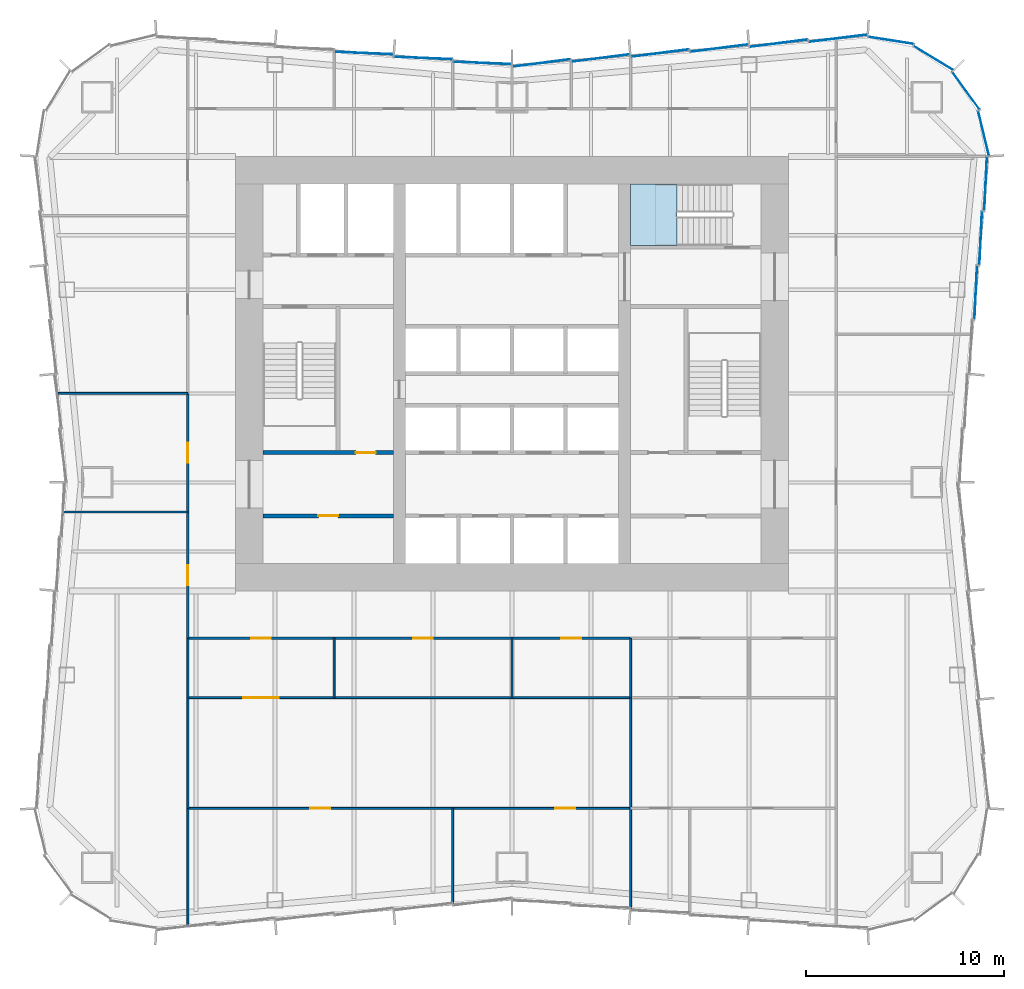
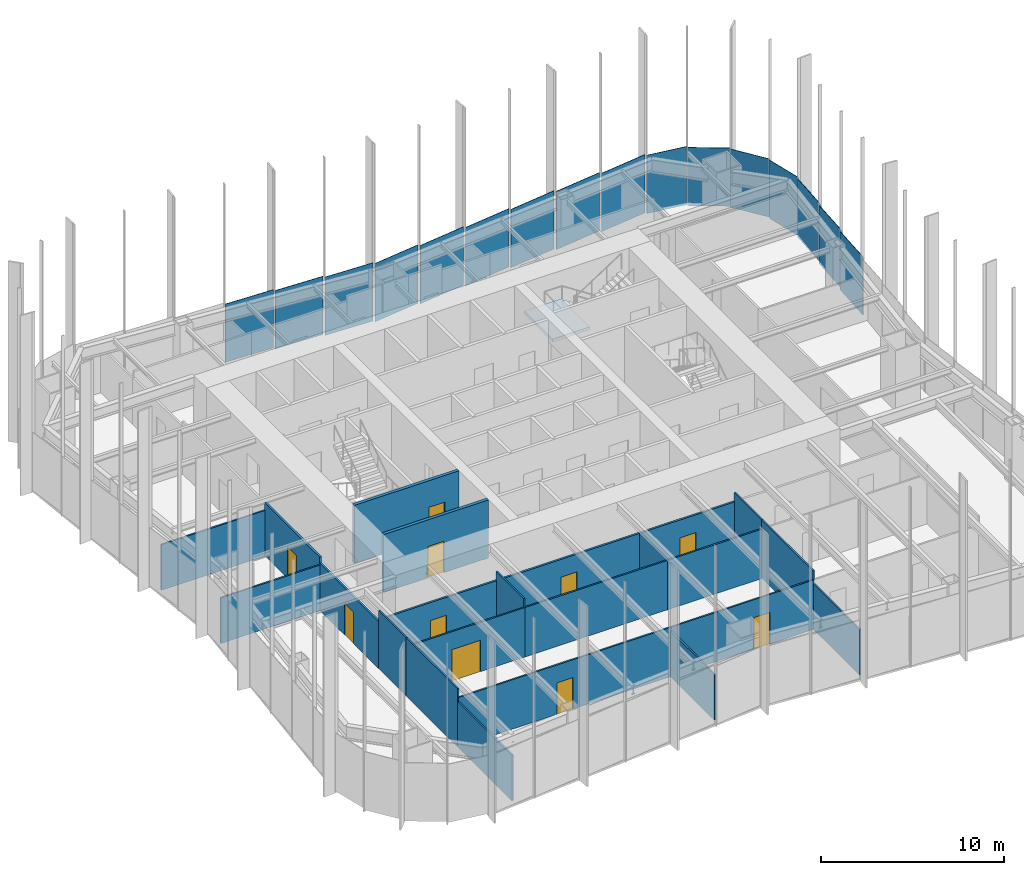
# One storey, part 9 of 13: 23 walls, 16 plates, 10 doors, 1 slab, 10 openings, 4 elements without a shape of their own.
"""IFC4 building model written with IfcOpenShell, lengths in metres."""

from ifc_helpers import new_model, si_unit, direction, frame, frame_2d, origin, origin_2d, place, context, subcontext, project, spatial, polyline, rectangle, outline, extrude, material, layer, layer_set, type_object, element, fill, aggregate, save


model = new_model("IFC4")

# Units and contexts
model_context = context("Model", 3, precision=1e-05, world=origin(), true_north=direction((0.0, 1.0)))
body_context = subcontext(model_context, "Body", "Model", "MODEL_VIEW")
ifc_project = project(units=[si_unit("LENGTHUNIT", "METRE"), si_unit("AREAUNIT", "SQUARE_METRE"), si_unit("VOLUMEUNIT", "CUBIC_METRE"), si_unit("PLANEANGLEUNIT", "RADIAN"), si_unit("MASSUNIT", "GRAM", prefix="KILO")], contexts=[model_context])

# Site, building, storey
site_placement = place(None, origin())
site = spatial("IfcSite", under=ifc_project, at=site_placement, CompositionType="ELEMENT")
building_placement = place(site_placement, origin())
building = spatial("IfcBuilding", under=site, at=building_placement, Name="Verdant Reach Tower", CompositionType="ELEMENT")
storey_placement = place(building_placement, frame((0.0, 0.0, 14.0)))
storey = spatial("IfcBuildingStorey", under=building, at=storey_placement, Name="L02", CompositionType="ELEMENT", Elevation=14.0)

# Stair, slab
ifc_material_1 = material(Name="Concrete C40/50", Category="concrete")
stair_type = type_object("IfcStairType", Name="CO-STAIR", PredefinedType="HALF_TURN_STAIR", material=ifc_material_1)
stair_placement = place(storey_placement, origin())
stair = element("IfcStair", 1, at=stair_placement, inside=storey, type_object=stair_type, Name="L02 Exit stair 3", PredefinedType="HALF_TURN_STAIR")
ifc_layer_1 = layer(ifc_material_1, 0.199951171875)
ifc_layer_set_1 = layer_set([ifc_layer_1], Name="CO-STAIR-LANDING")
slab_type = type_object("IfcSlabType", Name="CO-STAIR-LANDING", PredefinedType="LANDING", material=ifc_layer_set_1)
slab_placement = place(storey_placement, frame((0.0, 0.0, 1.800048828125)))
slab = element("IfcSlab", 2, at=slab_placement, type_object=slab_type, Name="ST-3 landing 1", PredefinedType="LANDING", context=body_context, shape_type="SweptSolid", body=[
    extrude(outline(polyline([(8.35009765625, 37.60009765625), (6.0, 37.60009765625), (6.0, 34.5), (8.35009765625, 34.5), (8.35009765625, 37.60009765625)])), origin(), (0.0, 0.0, 1.0), 0.199951171875),
])
aggregate(stair, [slab])

# Curtain wall, plates
ifc_material_2 = material(Name="Anodised aluminium", Category="aluminium")
curtain_wall_type = type_object("IfcCurtainWallType", Name="EN-CW SYSTEM Z0", PredefinedType="NOTDEFINED", material=ifc_material_2)
curtain_wall_1_placement = place(storey_placement, origin())
curtain_wall_1 = element("IfcCurtainWall", 3, at=curtain_wall_1_placement, inside=storey, type_object=curtain_wall_type, Name="Curtain wall east, L02", PredefinedType="NOTDEFINED")
ifc_material_3 = material(Name="Tinted glass with champagne spandrel", Category="glass")
ifc_layer_2 = layer(ifc_material_3, 0.031982421875)
ifc_layer_set_2 = layer_set([ifc_layer_2], Name="EN-PANEL CHAMPAGNE")
plate_type_1 = type_object("IfcPlateType", Name="EN-PANEL CHAMPAGNE", PredefinedType="CURTAIN_PANEL", material=ifc_layer_set_2)
plate_1_placement = place(storey_placement, frame((23.474609375, 32.115966796875, -0.22998046875), z_axis=(0.0, 0.0, 1.0), x_axis=(0.04875265175, 0.998810882473, 0.0)))
plate_1 = element("IfcPlate", 4, at=plate_1_placement, type_object=plate_type_1, Name="Glass panel east face part 2 4.1, L02", PredefinedType="CURTAIN_PANEL", context=body_context, shape_type="SweptSolid", body=[
    extrude(rectangle(XDim=2.705322265625, YDim=0.031982421875, at=origin_2d()), origin(), (0.0, 0.0, 1.0), 3.8798828125),
])
plate_2_placement = place(storey_placement, frame((23.724609375, 34.865966796875, -0.22998046875), z_axis=(0.0, 0.0, 1.0), x_axis=(0.04875265175, 0.998810882473, 0.0)))
plate_2 = element("IfcPlate", 5, at=plate_2_placement, type_object=plate_type_1, Name="Glass panel east face part 2 5.1, L02", PredefinedType="CURTAIN_PANEL", context=body_context, shape_type="SweptSolid", body=[
    extrude(rectangle(XDim=2.705322265625, YDim=0.031982421875, at=origin_2d()), origin(), (0.0, 0.0, 1.0), 3.8798828125),
])

curtain_wall_2_placement = place(storey_placement, origin())
curtain_wall_2 = element("IfcCurtainWall", 6, at=curtain_wall_2_placement, inside=storey, type_object=curtain_wall_type, Name="Curtain wall north-east corner, L02", PredefinedType="NOTDEFINED")
plate_3_placement = place(storey_placement, frame((22.974609375, 42.32373046875, -0.22998046875), z_axis=(0.0, 0.0, 1.0), x_axis=(-0.589926778461, 0.807456745624, 0.0)))
plate_3 = element("IfcPlate", 7, at=plate_3_placement, type_object=plate_type_1, Name="Glass panel north-east corner 2.1, L02", PredefinedType="CURTAIN_PANEL", context=body_context, shape_type="SweptSolid", body=[
    extrude(rectangle(XDim=2.32421875, YDim=0.031982421875, at=origin_2d()), origin(), (0.0, 0.0, 1.0), 3.8798828125),
])
plate_4_placement = place(storey_placement, frame((21.32373046875, 43.974609375, -0.22998046875), z_axis=(0.0, 0.0, 1.0), x_axis=(-0.853988681713, 0.520291583159, 0.0)))
plate_4 = element("IfcPlate", 8, at=plate_4_placement, type_object=plate_type_1, Name="Glass panel north-east corner 3.1, L02", PredefinedType="CURTAIN_PANEL", context=body_context, shape_type="SweptSolid", body=[
    extrude(rectangle(XDim=2.32421875, YDim=0.031982421875, at=origin_2d()), origin(), (0.0, 0.0, 1.0), 3.8798828125),
])

curtain_wall_3_placement = place(storey_placement, origin())
curtain_wall_3 = element("IfcCurtainWall", 9, at=curtain_wall_3_placement, inside=storey, type_object=curtain_wall_type, Name="Curtain wall north, L02", PredefinedType="NOTDEFINED")
plate_5_placement = place(storey_placement, frame((16.498779296875, 44.974853515625, -0.22998046875), z_axis=(0.0, 0.0, 1.0), x_axis=(-0.992234176789, -0.124383835008, 0.0)))
plate_5 = element("IfcPlate", 10, at=plate_5_placement, type_object=plate_type_1, Name="Glass panel north face part 1 1.1, L02", PredefinedType="CURTAIN_PANEL", context=body_context, shape_type="SweptSolid", body=[
    extrude(rectangle(XDim=2.96826171875, YDim=0.031982421875, at=origin_2d()), origin(), (0.0, 0.0, 1.0), 3.8798828125),
])
plate_6_placement = place(storey_placement, frame((-1.495849609375, 43.724853515625, -0.22998046875), z_axis=(0.0, 0.0, 1.0), x_axis=(-0.999144450138, 0.041356592674, 0.0)))
plate_6 = element("IfcPlate", 11, at=plate_6_placement, type_object=plate_type_1, Name="Glass panel north face part 2 1.1, L02", PredefinedType="CURTAIN_PANEL", context=body_context, shape_type="SweptSolid", body=[
    extrude(rectangle(XDim=2.946044921875, YDim=0.031982421875, at=origin_2d()), origin(), (0.0, 0.0, 1.0), 3.8798828125),
])
plate_7_placement = place(storey_placement, frame((-4.49169921875, 43.974609375, -0.22998046875), z_axis=(0.0, 0.0, 1.0), x_axis=(-0.999149202059, 0.041241629766, 0.0)))
plate_7 = element("IfcPlate", 12, at=plate_7_placement, type_object=plate_type_1, Name="Glass panel north face part 2 2.1, L02", PredefinedType="CURTAIN_PANEL", context=body_context, shape_type="SweptSolid", body=[
    extrude(rectangle(XDim=2.954345703125, YDim=0.031982421875, at=origin_2d()), origin(), (0.0, 0.0, 1.0), 3.8798828125),
])
plate_8_placement = place(storey_placement, frame((-7.49169921875, 44.224609375, -0.22998046875), z_axis=(0.0, 0.0, 1.0), x_axis=(-0.999149202059, 0.041241629766, 0.0)))
plate_8 = element("IfcPlate", 13, at=plate_8_placement, type_object=plate_type_1, Name="Glass panel north face part 2 3.1, L02", PredefinedType="CURTAIN_PANEL", context=body_context, shape_type="SweptSolid", body=[
    extrude(rectangle(XDim=2.954345703125, YDim=0.031982421875, at=origin_2d()), origin(), (0.0, 0.0, 1.0), 3.8798828125),
])

# Plate
ifc_material_4 = material(Name="Tinted glass with copper spandrel", Category="glass")
ifc_layer_3 = layer(ifc_material_4, 0.031982421875)
ifc_layer_set_3 = layer_set([ifc_layer_3], Name="EN-PANEL COPPER")
plate_type_2 = type_object("IfcPlateType", Name="EN-PANEL COPPER", PredefinedType="CURTAIN_PANEL", material=ifc_layer_set_3)
plate_9_placement = place(storey_placement, frame((23.974609375, 37.623046875, -0.22998046875), z_axis=(0.0, 0.0, 1.0), x_axis=(0.048382779248, 0.998828867561, 0.0)))
plate_9 = element("IfcPlate", 14, at=plate_9_placement, type_object=plate_type_2, Name="Glass panel east face part 2 6.1, L02", PredefinedType="CURTAIN_PANEL", context=body_context, shape_type="SweptSolid", body=[
    extrude(rectangle(XDim=2.7197265625, YDim=0.031982421875, at=origin_2d()), origin(), (0.0, 0.0, 1.0), 3.8798828125),
])

aggregate(curtain_wall_1, [plate_1, plate_2, plate_9])

plate_10_placement = place(storey_placement, frame((19.169921875, 44.86767578125, -0.22998046875), z_axis=(0.0, 0.0, 1.0), x_axis=(-0.98803452381, 0.154232875093, 0.0)))
plate_10 = element("IfcPlate", 15, at=plate_10_placement, type_object=plate_type_2, Name="Glass panel north-east corner 4.1, L02", PredefinedType="CURTAIN_PANEL", context=body_context, shape_type="SweptSolid", body=[
    extrude(rectangle(XDim=2.318603515625, YDim=0.031982421875, at=origin_2d()), origin(), (0.0, 0.0, 1.0), 3.8798828125),
])

plate_11_placement = place(storey_placement, frame((13.49169921875, 44.724609375, -0.22998046875), z_axis=(0.0, 0.0, 1.0), x_axis=(-0.992194034542, -0.124703639961, 0.0)))
plate_11 = element("IfcPlate", 16, at=plate_11_placement, type_object=plate_type_2, Name="Glass panel north face part 1 2.1, L02", PredefinedType="CURTAIN_PANEL", context=body_context, shape_type="SweptSolid", body=[
    extrude(rectangle(XDim=2.954345703125, YDim=0.031982421875, at=origin_2d()), origin(), (0.0, 0.0, 1.0), 3.8798828125),
])

plate_12_placement = place(storey_placement, frame((10.49169921875, 44.474609375, -0.22998046875), z_axis=(0.0, 0.0, 1.0), x_axis=(-0.992194034542, -0.124703639961, 0.0)))
plate_12 = element("IfcPlate", 17, at=plate_12_placement, type_object=plate_type_2, Name="Glass panel north face part 1 3.1, L02", PredefinedType="CURTAIN_PANEL", context=body_context, shape_type="SweptSolid", body=[
    extrude(rectangle(XDim=2.954345703125, YDim=0.031982421875, at=origin_2d()), origin(), (0.0, 0.0, 1.0), 3.8798828125),
])

plate_13_placement = place(storey_placement, frame((7.49169921875, 44.224609375, -0.22998046875), z_axis=(0.0, 0.0, 1.0), x_axis=(-0.992194034542, -0.124703639961, 0.0)))
plate_13 = element("IfcPlate", 18, at=plate_13_placement, type_object=plate_type_2, Name="Glass panel north face part 1 4.1, L02", PredefinedType="CURTAIN_PANEL", context=body_context, shape_type="SweptSolid", body=[
    extrude(rectangle(XDim=2.954345703125, YDim=0.031982421875, at=origin_2d()), origin(), (0.0, 0.0, 1.0), 3.8798828125),
])

ifc_material_5 = material(Name="Tinted glass with dark bronze spandrel", Category="glass")
ifc_layer_4 = layer(ifc_material_5, 0.031982421875)
ifc_layer_set_4 = layer_set([ifc_layer_4], Name="EN-PANEL DARK")
plate_type_3 = type_object("IfcPlateType", Name="EN-PANEL DARK", PredefinedType="CURTAIN_PANEL", material=ifc_layer_set_4)
plate_14_placement = place(storey_placement, frame((23.86767578125, 40.169921875, -0.22998046875), z_axis=(0.0, 0.0, 1.0), x_axis=(-0.236346786246, 0.97166876899, 0.0)))
plate_14 = element("IfcPlate", 19, at=plate_14_placement, type_object=plate_type_3, Name="Glass panel north-east corner 1.1, L02", PredefinedType="CURTAIN_PANEL", context=body_context, shape_type="SweptSolid", body=[
    extrude(rectangle(XDim=2.31884765625, YDim=0.031982421875, at=origin_2d()), origin(), (0.0, 0.0, 1.0), 3.8798828125),
])

aggregate(curtain_wall_2, [plate_14, plate_3, plate_4, plate_10])

plate_15_placement = place(storey_placement, frame((4.49169921875, 43.974609375, -0.22998046875), z_axis=(0.0, 0.0, 1.0), x_axis=(-0.992194034542, -0.124703639961, 0.0)))
plate_15 = element("IfcPlate", 20, at=plate_15_placement, type_object=plate_type_3, Name="Glass panel north face part 1 5.1, L02", PredefinedType="CURTAIN_PANEL", context=body_context, shape_type="SweptSolid", body=[
    extrude(rectangle(XDim=2.954345703125, YDim=0.031982421875, at=origin_2d()), origin(), (0.0, 0.0, 1.0), 3.8798828125),
])

plate_16_placement = place(storey_placement, frame((1.495849609375, 43.724853515625, -0.22998046875), z_axis=(0.0, 0.0, 1.0), x_axis=(-0.992179679439, -0.124817802047, 0.0)))
plate_16 = element("IfcPlate", 21, at=plate_16_placement, type_object=plate_type_3, Name="Glass panel north face part 1 6.1, L02", PredefinedType="CURTAIN_PANEL", context=body_context, shape_type="SweptSolid", body=[
    extrude(rectangle(XDim=2.946044921875, YDim=0.031982421875, at=origin_2d()), origin(), (0.0, 0.0, 1.0), 3.8798828125),
])

aggregate(curtain_wall_3, [plate_5, plate_11, plate_12, plate_13, plate_15, plate_16, plate_6, plate_7, plate_8])

# Wall, opening, door
ifc_material_6 = material(Name="Gypsum board on steel studs", Category="steel")
ifc_layer_5 = layer(ifc_material_6, 0.199951171875)
ifc_layer_set_5 = layer_set([ifc_layer_5], Name="CO-WALL-ROOM")
wall_type_1 = type_object("IfcWallType", Name="CO-WALL-ROOM", PredefinedType="PARTITIONING", material=ifc_layer_set_5)
wall_1_placement = place(storey_placement, frame((-12.60009765625, 20.800048828125, 0.0), z_axis=(0.0, 0.0, 1.0), x_axis=(1.0, 0.0, 0.0)))
wall_1 = element("IfcWall", 22, at=wall_1_placement, inside=storey, type_object=wall_type_1, Name="Core partition, L02", PredefinedType="PARTITIONING", context=body_context, shape_type="SweptSolid", body=[
    extrude(rectangle(XDim=6.60009765625, YDim=0.199951171875, at=frame_2d((3.300048828125, 0.0))), origin(), (0.0, 0.0, 1.0), 3.8701171875),
])
opening_1_placement = place(wall_1_placement, frame((2.800048828125, 0.0, 0.0)))
opening_1 = element("IfcOpeningElement", 23, at=opening_1_placement, cuts=wall_1, Name="Opening CD", PredefinedType="OPENING", context=body_context, shape_type="SweptSolid", body=[
    extrude(rectangle(XDim=1.0, YDim=2.10009765625, at=frame_2d((0.5, 1.050048828125))), frame((0.0, 0.10986328125, 0.0), z_axis=(0.0, -1.0, 0.0), x_axis=(1.0, 0.0, 0.0)), (0.0, 0.0, 1.0), 0.219970703125),
])
ifc_material_7 = material(Name="Timber", Category="wood")
door_type_1 = type_object("IfcDoorType", Name="CO-DOOR-ROOM", OperationType="NOTDEFINED", PredefinedType="DOOR", material=ifc_material_7)
door_1_placement = place(opening_1_placement, origin())
door_1 = element("IfcDoor", 24, at=door_1_placement, inside=storey, type_object=door_type_1, Name="Core room door, L02", OperationType="SINGLE_SWING_LEFT", OverallHeight=2.10009765625, OverallWidth=1.0, PredefinedType="DOOR", context=body_context, shape_type="SweptSolid", body=[
    extrude(rectangle(XDim=1.0, YDim=2.10009765625, at=frame_2d((0.5, 1.050048828125))), frame((0.0, 0.02490234375, 0.0), z_axis=(0.0, -1.0, 0.0), x_axis=(1.0, 0.0, 0.0)), (0.0, 0.0, 1.0), 0.050048828125),
])
fill(opening_1, door_1)

ifc_layer_6 = layer(ifc_material_1, 0.199951171875)
ifc_layer_set_6 = layer_set([ifc_layer_6], Name="CO-WALL-STAIR")
wall_type_2 = type_object("IfcWallType", Name="CO-WALL-STAIR", PredefinedType="PARTITIONING", material=ifc_layer_set_6)
wall_2_placement = place(storey_placement, frame((-12.60009765625, 24.0, 0.0), z_axis=(0.0, 0.0, 1.0), x_axis=(1.0, 0.0, 0.0)))
wall_2 = element("IfcWall", 25, at=wall_2_placement, inside=storey, type_object=wall_type_2, Name="Stair enclosure wall, L02", PredefinedType="PARTITIONING", context=body_context, shape_type="SweptSolid", body=[
    extrude(rectangle(XDim=6.60009765625, YDim=0.199951171875, at=frame_2d((3.300048828125, 0.0))), origin(), (0.0, 0.0, 1.0), 3.8701171875),
])
opening_2_placement = place(wall_2_placement, frame((4.699951171875, 0.0, 0.0)))
opening_2 = element("IfcOpeningElement", 26, at=opening_2_placement, cuts=wall_2, Name="Opening CD", PredefinedType="OPENING", context=body_context, shape_type="SweptSolid", body=[
    extrude(rectangle(XDim=1.0, YDim=2.10009765625, at=frame_2d((0.5, 1.050048828125))), frame((0.0, 0.10986328125, 0.0), z_axis=(0.0, -1.0, 0.0), x_axis=(1.0, 0.0, 0.0)), (0.0, 0.0, 1.0), 0.219970703125),
])
door_2_placement = place(opening_2_placement, origin())
door_2 = element("IfcDoor", 27, at=door_2_placement, inside=storey, type_object=door_type_1, Name="Core room door, L02", OperationType="SINGLE_SWING_RIGHT", OverallHeight=2.10009765625, OverallWidth=1.0, PredefinedType="DOOR", context=body_context, shape_type="SweptSolid", body=[
    extrude(rectangle(XDim=1.0, YDim=2.10009765625, at=frame_2d((0.5, 1.050048828125))), frame((0.0, 0.02490234375, 0.0), z_axis=(0.0, -1.0, 0.0), x_axis=(1.0, 0.0, 0.0)), (0.0, 0.0, 1.0), 0.050048828125),
])
fill(opening_2, door_2)

# Wall
ifc_layer_7 = layer(ifc_material_6, 0.10009765625)
ifc_layer_set_7 = layer_set([ifc_layer_7], Name="FL-W1 Partition 100")
wall_type_3 = type_object("IfcWallType", Name="FL-W1 Partition 100", PredefinedType="PARTITIONING", material=ifc_layer_set_7)
wall_3_placement = place(storey_placement, frame((-9.0, 11.60009765625, 0.0), z_axis=(0.0, 0.0, 1.0), x_axis=(0.0, 1.0, 0.0)))
element("IfcWall", 28, at=wall_3_placement, inside=storey, type_object=wall_type_3, Name="Partition 02.19", PredefinedType="PARTITIONING", context=body_context, shape_type="SweptSolid", body=[
    extrude(rectangle(XDim=3.0, YDim=0.10009765625, at=frame_2d((1.5, 0.0))), origin(), (0.0, 0.0, 1.0), 3.8701171875),
])

# Wall, opening, door
wall_4_placement = place(storey_placement, frame((-8.99609375, 11.60009765625, 0.0), z_axis=(0.0, 0.0, 1.0), x_axis=(-1.0, 0.0, 0.0)))
wall_4 = element("IfcWall", 29, at=wall_4_placement, inside=storey, type_object=wall_type_3, Name="Partition 02.20", PredefinedType="PARTITIONING", context=body_context, shape_type="SweptSolid", body=[
    extrude(rectangle(XDim=7.40380859375, YDim=0.10009765625, at=frame_2d((3.701904296875, 0.0))), origin(), (0.0, 0.0, 1.0), 3.2900390625),
])
opening_3_placement = place(wall_4_placement, frame((2.802001953125, 0.0, 0.0)))
opening_3 = element("IfcOpeningElement", 30, at=opening_3_placement, cuts=wall_4, Name="Opening D5", PredefinedType="OPENING", context=body_context, shape_type="SweptSolid", body=[
    extrude(rectangle(XDim=1.800048828125, YDim=2.10009765625, at=frame_2d((0.89990234375, 1.050048828125))), frame((0.0, 0.06005859375, 0.0), z_axis=(0.0, -1.0, 0.0), x_axis=(1.0, 0.0, 0.0)), (0.0, 0.0, 1.0), 0.1201171875),
])
ifc_material_8 = material(Name="Painted timber door leaves", Category="wood")
door_type_2 = type_object("IfcDoorType", Name="FL-D5 Double door 1800x2100", OperationType="DOUBLE_DOOR_SINGLE_SWING", PredefinedType="DOOR", material=ifc_material_8)
door_3_placement = place(opening_3_placement, origin())
door_3 = element("IfcDoor", 31, at=door_3_placement, inside=storey, type_object=door_type_2, Name="Door 02-019", OperationType="DOUBLE_DOOR_SINGLE_SWING", OverallHeight=2.10009765625, OverallWidth=1.800048828125, PredefinedType="DOOR", context=body_context, shape_type="SweptSolid", body=[
    extrude(rectangle(XDim=1.800048828125, YDim=2.10009765625, at=frame_2d((0.89990234375, 1.050048828125))), frame((0.0, 0.02490234375, 0.0), z_axis=(0.0, -1.0, 0.0), x_axis=(1.0, 0.0, 0.0)), (0.0, 0.0, 1.0), 0.050048828125),
])
fill(opening_3, door_3)

# Walls
wall_5_placement = place(storey_placement, frame((-16.39990234375, 14.60400390625, 0.0), z_axis=(0.0, 0.0, 1.0), x_axis=(0.0, -1.0, 0.0)))
element("IfcWall", 32, at=wall_5_placement, inside=storey, type_object=wall_type_3, Name="Partition 02.21", PredefinedType="PARTITIONING", context=body_context, shape_type="SweptSolid", body=[
    extrude(rectangle(XDim=3.008056640625, YDim=0.10009765625, at=frame_2d((1.50390625, 0.0))), origin(), (0.0, 0.0, 1.0), 3.8701171875),
])
wall_6_placement = place(storey_placement, frame((0.0, 11.60009765625, 0.0), z_axis=(0.0, 0.0, 1.0), x_axis=(0.0, 1.0, 0.0)))
element("IfcWall", 33, at=wall_6_placement, inside=storey, type_object=wall_type_3, Name="Partition 02.22", PredefinedType="PARTITIONING", context=body_context, shape_type="SweptSolid", body=[
    extrude(rectangle(XDim=3.0, YDim=0.10009765625, at=frame_2d((1.5, 0.0))), origin(), (0.0, 0.0, 1.0), 3.340087890625),
])
wall_7_placement = place(storey_placement, frame((-9.00390625, 11.60009765625, 0.0), z_axis=(0.0, 0.0, 1.0), x_axis=(1.0, 0.0, 0.0)))
element("IfcWall", 34, at=wall_7_placement, inside=storey, type_object=wall_type_3, Name="Partition 02.23", PredefinedType="PARTITIONING", context=body_context, shape_type="SweptSolid", body=[
    extrude(rectangle(XDim=9.0078125, YDim=0.10009765625, at=frame_2d((4.50390625, 0.0))), origin(), (0.0, 0.0, 1.0), 3.2900390625),
])
wall_8_placement = place(storey_placement, frame((-0.00390625, 11.60009765625, 0.0), z_axis=(0.0, 0.0, 1.0), x_axis=(1.0, 0.0, 0.0)))
element("IfcWall", 35, at=wall_8_placement, inside=storey, type_object=wall_type_3, Name="Partition 02.24", PredefinedType="PARTITIONING", context=body_context, shape_type="SweptSolid", body=[
    extrude(rectangle(XDim=6.00390625, YDim=0.10009765625, at=frame_2d((3.001953125, 0.0))), origin(), (0.0, 0.0, 1.0), 3.2900390625),
])
wall_9_placement = place(storey_placement, frame((6.0, 11.60009765625, 0.0), z_axis=(0.0, 0.0, 1.0), x_axis=(0.0, 1.0, 0.0)))
element("IfcWall", 36, at=wall_9_placement, inside=storey, type_object=wall_type_3, Name="Partition 02.25", PredefinedType="PARTITIONING", context=body_context, shape_type="SweptSolid", body=[
    extrude(rectangle(XDim=3.0, YDim=0.10009765625, at=frame_2d((1.5, 0.0))), origin(), (0.0, 0.0, 1.0), 3.8701171875),
])

# Wall, opening, door
wall_10_placement = place(storey_placement, frame((-3.0, 6.0, 0.0), z_axis=(0.0, 0.0, 1.0), x_axis=(-1.0, 0.0, 0.0)))
wall_10 = element("IfcWall", 37, at=wall_10_placement, inside=storey, type_object=wall_type_3, Name="Partition 02.26", PredefinedType="PARTITIONING", context=body_context, shape_type="SweptSolid", body=[
    extrude(rectangle(XDim=13.39990234375, YDim=0.10009765625, at=frame_2d((6.699951171875, 0.0))), origin(), (0.0, 0.0, 1.0), 3.2900390625),
])
opening_4_placement = place(wall_10_placement, frame((6.199951171875, 0.0, 0.0)))
opening_4 = element("IfcOpeningElement", 38, at=opening_4_placement, cuts=wall_10, Name="Opening D3", PredefinedType="OPENING", context=body_context, shape_type="SweptSolid", body=[
    extrude(rectangle(XDim=1.0, YDim=2.10009765625, at=frame_2d((0.5, 1.050048828125))), frame((0.0, 0.06005859375, 0.0), z_axis=(0.0, -1.0, 0.0), x_axis=(1.0, 0.0, 0.0)), (0.0, 0.0, 1.0), 0.1201171875),
])
ifc_material_9 = material(Name="Painted timber door leaf", Category="wood")
door_type_3 = type_object("IfcDoorType", Name="FL-D3 Door 1000x2100", OperationType="NOTDEFINED", PredefinedType="DOOR", material=ifc_material_9)
door_4_placement = place(opening_4_placement, origin())
door_4 = element("IfcDoor", 39, at=door_4_placement, inside=storey, type_object=door_type_3, Name="Door 02-020", OperationType="SINGLE_SWING_RIGHT", OverallHeight=2.10009765625, OverallWidth=1.0, PredefinedType="DOOR", context=body_context, shape_type="SweptSolid", body=[
    extrude(rectangle(XDim=1.0, YDim=2.10009765625, at=frame_2d((0.5, 1.050048828125))), frame((0.0, 0.02490234375, 0.0), z_axis=(0.0, -1.0, 0.0), x_axis=(1.0, 0.0, 0.0)), (0.0, 0.0, 1.0), 0.050048828125),
])
fill(opening_4, door_4)

wall_11_placement = place(storey_placement, frame((6.0, 6.0, 0.0), z_axis=(0.0, 0.0, 1.0), x_axis=(-1.0, 0.0, 0.0)))
wall_11 = element("IfcWall", 40, at=wall_11_placement, inside=storey, type_object=wall_type_3, Name="Partition 02.27", PredefinedType="PARTITIONING", context=body_context, shape_type="SweptSolid", body=[
    extrude(rectangle(XDim=9.0, YDim=0.10009765625, at=frame_2d((4.5, 0.0))), origin(), (0.0, 0.0, 1.0), 3.2900390625),
])
opening_5_placement = place(wall_11_placement, frame((2.800048828125, 0.0, 0.0)))
opening_5 = element("IfcOpeningElement", 41, at=opening_5_placement, cuts=wall_11, Name="Opening D3", PredefinedType="OPENING", context=body_context, shape_type="SweptSolid", body=[
    extrude(rectangle(XDim=1.0, YDim=2.10009765625, at=frame_2d((0.5, 1.050048828125))), frame((0.0, 0.06005859375, 0.0), z_axis=(0.0, -1.0, 0.0), x_axis=(1.0, 0.0, 0.0)), (0.0, 0.0, 1.0), 0.1201171875),
])
door_5_placement = place(opening_5_placement, origin())
door_5 = element("IfcDoor", 42, at=door_5_placement, inside=storey, type_object=door_type_3, Name="Door 02-021", OperationType="SINGLE_SWING_LEFT", OverallHeight=2.10009765625, OverallWidth=1.0, PredefinedType="DOOR", context=body_context, shape_type="SweptSolid", body=[
    extrude(rectangle(XDim=1.0, YDim=2.10009765625, at=frame_2d((0.5, 1.050048828125))), frame((0.0, 0.02490234375, 0.0), z_axis=(0.0, -1.0, 0.0), x_axis=(1.0, 0.0, 0.0)), (0.0, 0.0, 1.0), 0.050048828125),
])
fill(opening_5, door_5)

# Walls
wall_12_placement = place(storey_placement, frame((6.0, 6.0, 0.0), z_axis=(0.0, 0.0, 1.0), x_axis=(0.0, 1.0, 0.0)))
element("IfcWall", 43, at=wall_12_placement, inside=storey, type_object=wall_type_3, Name="Partition 02.28", PredefinedType="PARTITIONING", context=body_context, shape_type="SweptSolid", body=[
    extrude(rectangle(XDim=5.60009765625, YDim=0.10009765625, at=frame_2d((2.800048828125, 0.0))), origin(), (0.0, 0.0, 1.0), 3.8701171875),
])
wall_13_placement = place(storey_placement, frame((-16.39990234375, 11.60400390625, 0.0), z_axis=(0.0, 0.0, 1.0), x_axis=(0.0, -1.0, 0.0)))
element("IfcWall", 44, at=wall_13_placement, inside=storey, type_object=wall_type_3, Name="Partition 02.29", PredefinedType="PARTITIONING", context=body_context, shape_type="SweptSolid", body=[
    extrude(rectangle(XDim=5.60791015625, YDim=0.10009765625, at=frame_2d((2.803955078125, 0.0))), origin(), (0.0, 0.0, 1.0), 3.8701171875),
])
wall_14_placement = place(storey_placement, frame((-3.0, 1.169921875, 0.0), z_axis=(0.0, 0.0, 1.0), x_axis=(0.0, 1.0, 0.0)))
element("IfcWall", 45, at=wall_14_placement, inside=storey, type_object=wall_type_3, Name="Partition 02.30", PredefinedType="PARTITIONING", context=body_context, shape_type="SweptSolid", body=[
    extrude(rectangle(XDim=4.830078125, YDim=0.10009765625, at=frame_2d((2.4150390625, 0.0))), origin(), (0.0, 0.0, 1.0), 3.0400390625),
])
wall_15_placement = place(storey_placement, frame((-16.39990234375, 6.00390625, 0.0), z_axis=(0.0, 0.0, 1.0), x_axis=(0.0, -1.0, 0.0)))
element("IfcWall", 46, at=wall_15_placement, inside=storey, type_object=wall_type_3, Name="Partition 02.31", PredefinedType="PARTITIONING", context=body_context, shape_type="SweptSolid", body=[
    extrude(rectangle(XDim=5.95068359375, YDim=0.10009765625, at=frame_2d((2.975341796875, 0.0))), origin(), (0.0, 0.0, 1.0), 3.0400390625),
])
wall_16_placement = place(storey_placement, frame((6.0, 0.919921875, 0.0), z_axis=(0.0, 0.0, 1.0), x_axis=(0.0, 1.0, 0.0)))
element("IfcWall", 47, at=wall_16_placement, inside=storey, type_object=wall_type_3, Name="Partition 02.32", PredefinedType="PARTITIONING", context=body_context, shape_type="SweptSolid", body=[
    extrude(rectangle(XDim=5.080078125, YDim=0.10009765625, at=frame_2d((2.5400390625, 0.0))), origin(), (0.0, 0.0, 1.0), 3.0400390625),
])
wall_17_placement = place(storey_placement, frame((-16.39990234375, 21.0, 0.0), z_axis=(0.0, 0.0, 1.0), x_axis=(-1.0, 0.0, 0.0)))
element("IfcWall", 48, at=wall_17_placement, inside=storey, type_object=wall_type_3, Name="Partition 02.49", PredefinedType="PARTITIONING", context=body_context, shape_type="SweptSolid", body=[
    extrude(rectangle(XDim=6.31640625, YDim=0.10009765625, at=frame_2d((3.158203125, 0.0))), origin(), (0.0, 0.0, 1.0), 3.0400390625),
])
wall_18_placement = place(storey_placement, frame((-16.39990234375, 27.0, 0.0), z_axis=(0.0, 0.0, 1.0), x_axis=(-1.0, 0.0, 0.0)))
element("IfcWall", 49, at=wall_18_placement, inside=storey, type_object=wall_type_3, Name="Partition 02.50", PredefinedType="PARTITIONING", context=body_context, shape_type="SweptSolid", body=[
    extrude(rectangle(XDim=6.589111328125, YDim=0.10009765625, at=frame_2d((3.29443359375, 0.0))), origin(), (0.0, 0.0, 1.0), 3.0400390625),
])

# Wall, opening, door
ifc_material_10 = material(Name="Gypsum board on steel studs, fire rated", Category="steel")
ifc_layer_8 = layer(ifc_material_10, 0.125)
ifc_layer_set_8 = layer_set([ifc_layer_8], Name="FL-W2 Corridor wall 125")
wall_type_4 = type_object("IfcWallType", Name="FL-W2 Corridor wall 125", PredefinedType="PARTITIONING", material=ifc_layer_set_8)
wall_19_placement = place(storey_placement, frame((-9.0, 14.60009765625, 0.0), z_axis=(0.0, 0.0, 1.0), x_axis=(-1.0, 0.0, 0.0)))
wall_19 = element("IfcWall", 50, at=wall_19_placement, inside=storey, type_object=wall_type_4, Name="Partition 02.01", PredefinedType="PARTITIONING", context=body_context, shape_type="SweptSolid", body=[
    extrude(rectangle(XDim=7.39990234375, YDim=0.125, at=frame_2d((3.699951171875, 0.0))), origin(), (0.0, 0.0, 1.0), 3.2900390625),
])
opening_6_placement = place(wall_19_placement, frame((3.199951171875, 0.0, 0.0)))
opening_6 = element("IfcOpeningElement", 51, at=opening_6_placement, cuts=wall_19, Name="Opening D2", PredefinedType="OPENING", context=body_context, shape_type="SweptSolid", body=[
    extrude(rectangle(XDim=1.0, YDim=2.10009765625, at=frame_2d((0.5, 1.050048828125))), frame((0.0, 0.072509765625, 0.0), z_axis=(0.0, -1.0, 0.0), x_axis=(1.0, 0.0, 0.0)), (0.0, 0.0, 1.0), 0.14501953125),
])
ifc_material_11 = material(Name="Timber door leaf, fire rated", Category="wood")
door_type_4 = type_object("IfcDoorType", Name="FL-D2 Entrance door 1000x2100 FD30", OperationType="NOTDEFINED", PredefinedType="DOOR", material=ifc_material_11)
door_6_placement = place(opening_6_placement, origin())
door_6 = element("IfcDoor", 52, at=door_6_placement, inside=storey, type_object=door_type_4, Name="Door 02-001", OperationType="SINGLE_SWING_LEFT", OverallHeight=2.10009765625, OverallWidth=1.0, PredefinedType="DOOR", context=body_context, shape_type="SweptSolid", body=[
    extrude(rectangle(XDim=1.0, YDim=2.10009765625, at=frame_2d((0.5, 1.050048828125))), frame((0.0, 0.02490234375, 0.0), z_axis=(0.0, -1.0, 0.0), x_axis=(1.0, 0.0, 0.0)), (0.0, 0.0, 1.0), 0.050048828125),
])
fill(opening_6, door_6)

wall_20_placement = place(storey_placement, frame((0.0, 14.60009765625, 0.0), z_axis=(0.0, 0.0, 1.0), x_axis=(-1.0, 0.0, 0.0)))
wall_20 = element("IfcWall", 53, at=wall_20_placement, inside=storey, type_object=wall_type_4, Name="Partition 02.02", PredefinedType="PARTITIONING", context=body_context, shape_type="SweptSolid", body=[
    extrude(rectangle(XDim=9.0, YDim=0.125, at=frame_2d((4.5, 0.0))), origin(), (0.0, 0.0, 1.0), 3.2900390625),
])
opening_7_placement = place(wall_20_placement, frame((4.0, 0.0, 0.0)))
opening_7 = element("IfcOpeningElement", 54, at=opening_7_placement, cuts=wall_20, Name="Opening D2", PredefinedType="OPENING", context=body_context, shape_type="SweptSolid", body=[
    extrude(rectangle(XDim=1.0, YDim=2.10009765625, at=frame_2d((0.5, 1.050048828125))), frame((0.0, 0.072509765625, 0.0), z_axis=(0.0, -1.0, 0.0), x_axis=(1.0, 0.0, 0.0)), (0.0, 0.0, 1.0), 0.14501953125),
])
door_7_placement = place(opening_7_placement, origin())
door_7 = element("IfcDoor", 55, at=door_7_placement, inside=storey, type_object=door_type_4, Name="Door 02-002", OperationType="SINGLE_SWING_RIGHT", OverallHeight=2.10009765625, OverallWidth=1.0, PredefinedType="DOOR", context=body_context, shape_type="SweptSolid", body=[
    extrude(rectangle(XDim=1.0, YDim=2.10009765625, at=frame_2d((0.5, 1.050048828125))), frame((0.0, 0.02490234375, 0.0), z_axis=(0.0, -1.0, 0.0), x_axis=(1.0, 0.0, 0.0)), (0.0, 0.0, 1.0), 0.050048828125),
])
fill(opening_7, door_7)

wall_21_placement = place(storey_placement, frame((6.0, 14.60009765625, 0.0), z_axis=(0.0, 0.0, 1.0), x_axis=(-1.0, 0.0, 0.0)))
wall_21 = element("IfcWall", 56, at=wall_21_placement, inside=storey, type_object=wall_type_4, Name="Partition 02.03", PredefinedType="PARTITIONING", context=body_context, shape_type="SweptSolid", body=[
    extrude(rectangle(XDim=6.0, YDim=0.125, at=frame_2d((3.0, 0.0))), origin(), (0.0, 0.0, 1.0), 3.2900390625),
])
opening_8_placement = place(wall_21_placement, frame((2.5, 0.0, 0.0)))
opening_8 = element("IfcOpeningElement", 57, at=opening_8_placement, cuts=wall_21, Name="Opening D2", PredefinedType="OPENING", context=body_context, shape_type="SweptSolid", body=[
    extrude(rectangle(XDim=1.0, YDim=2.10009765625, at=frame_2d((0.5, 1.050048828125))), frame((0.0, 0.072509765625, 0.0), z_axis=(0.0, -1.0, 0.0), x_axis=(1.0, 0.0, 0.0)), (0.0, 0.0, 1.0), 0.14501953125),
])
door_8_placement = place(opening_8_placement, origin())
door_8 = element("IfcDoor", 58, at=door_8_placement, inside=storey, type_object=door_type_4, Name="Door 02-003", OperationType="SINGLE_SWING_LEFT", OverallHeight=2.10009765625, OverallWidth=1.0, PredefinedType="DOOR", context=body_context, shape_type="SweptSolid", body=[
    extrude(rectangle(XDim=1.0, YDim=2.10009765625, at=frame_2d((0.5, 1.050048828125))), frame((0.0, 0.02490234375, 0.0), z_axis=(0.0, -1.0, 0.0), x_axis=(1.0, 0.0, 0.0)), (0.0, 0.0, 1.0), 0.050048828125),
])
fill(opening_8, door_8)

wall_22_placement = place(storey_placement, frame((-16.39990234375, 14.595947265625, 0.0), z_axis=(0.0, 0.0, 1.0), x_axis=(0.0, 1.0, 0.0)))
wall_22 = element("IfcWall", 59, at=wall_22_placement, inside=storey, type_object=wall_type_4, Name="Partition 02.12", PredefinedType="PARTITIONING", context=body_context, shape_type="SweptSolid", body=[
    extrude(rectangle(XDim=6.404052734375, YDim=0.125, at=frame_2d((3.2021484375, 0.0))), origin(), (0.0, 0.0, 1.0), 3.139892578125),
])
opening_9_placement = place(wall_22_placement, frame((2.701904296875, 0.0, 0.0)))
opening_9 = element("IfcOpeningElement", 60, at=opening_9_placement, cuts=wall_22, Name="Opening D2", PredefinedType="OPENING", context=body_context, shape_type="SweptSolid", body=[
    extrude(rectangle(XDim=1.0, YDim=2.10009765625, at=frame_2d((0.5, 1.050048828125))), frame((0.0, 0.072509765625, 0.0), z_axis=(0.0, -1.0, 0.0), x_axis=(1.0, 0.0, 0.0)), (0.0, 0.0, 1.0), 0.14501953125),
])
door_9_placement = place(opening_9_placement, origin())
door_9 = element("IfcDoor", 61, at=door_9_placement, inside=storey, type_object=door_type_4, Name="Door 02-012", OperationType="SINGLE_SWING_RIGHT", OverallHeight=2.10009765625, OverallWidth=1.0, PredefinedType="DOOR", context=body_context, shape_type="SweptSolid", body=[
    extrude(rectangle(XDim=1.0, YDim=2.10009765625, at=frame_2d((0.5, 1.050048828125))), frame((0.0, 0.02490234375, 0.0), z_axis=(0.0, -1.0, 0.0), x_axis=(1.0, 0.0, 0.0)), (0.0, 0.0, 1.0), 0.050048828125),
])
fill(opening_9, door_9)

wall_23_placement = place(storey_placement, frame((-16.39990234375, 21.0, 0.0), z_axis=(0.0, 0.0, 1.0), x_axis=(0.0, 1.0, 0.0)))
wall_23 = element("IfcWall", 62, at=wall_23_placement, inside=storey, type_object=wall_type_4, Name="Partition 02.13", PredefinedType="PARTITIONING", context=body_context, shape_type="SweptSolid", body=[
    extrude(rectangle(XDim=6.0, YDim=0.125, at=frame_2d((3.0, 0.0))), origin(), (0.0, 0.0, 1.0), 3.5400390625),
])
opening_10_placement = place(wall_23_placement, frame((2.5, 0.0, 0.0)))
opening_10 = element("IfcOpeningElement", 63, at=opening_10_placement, cuts=wall_23, Name="Opening D2", PredefinedType="OPENING", context=body_context, shape_type="SweptSolid", body=[
    extrude(rectangle(XDim=1.0, YDim=2.10009765625, at=frame_2d((0.5, 1.050048828125))), frame((0.0, 0.072509765625, 0.0), z_axis=(0.0, -1.0, 0.0), x_axis=(1.0, 0.0, 0.0)), (0.0, 0.0, 1.0), 0.14501953125),
])
door_10_placement = place(opening_10_placement, origin())
door_10 = element("IfcDoor", 64, at=door_10_placement, inside=storey, type_object=door_type_4, Name="Door 02-013", OperationType="SINGLE_SWING_LEFT", OverallHeight=2.10009765625, OverallWidth=1.0, PredefinedType="DOOR", context=body_context, shape_type="SweptSolid", body=[
    extrude(rectangle(XDim=1.0, YDim=2.10009765625, at=frame_2d((0.5, 1.050048828125))), frame((0.0, 0.02490234375, 0.0), z_axis=(0.0, -1.0, 0.0), x_axis=(1.0, 0.0, 0.0)), (0.0, 0.0, 1.0), 0.050048828125),
])
fill(opening_10, door_10)

save(model, "model.ifc")
